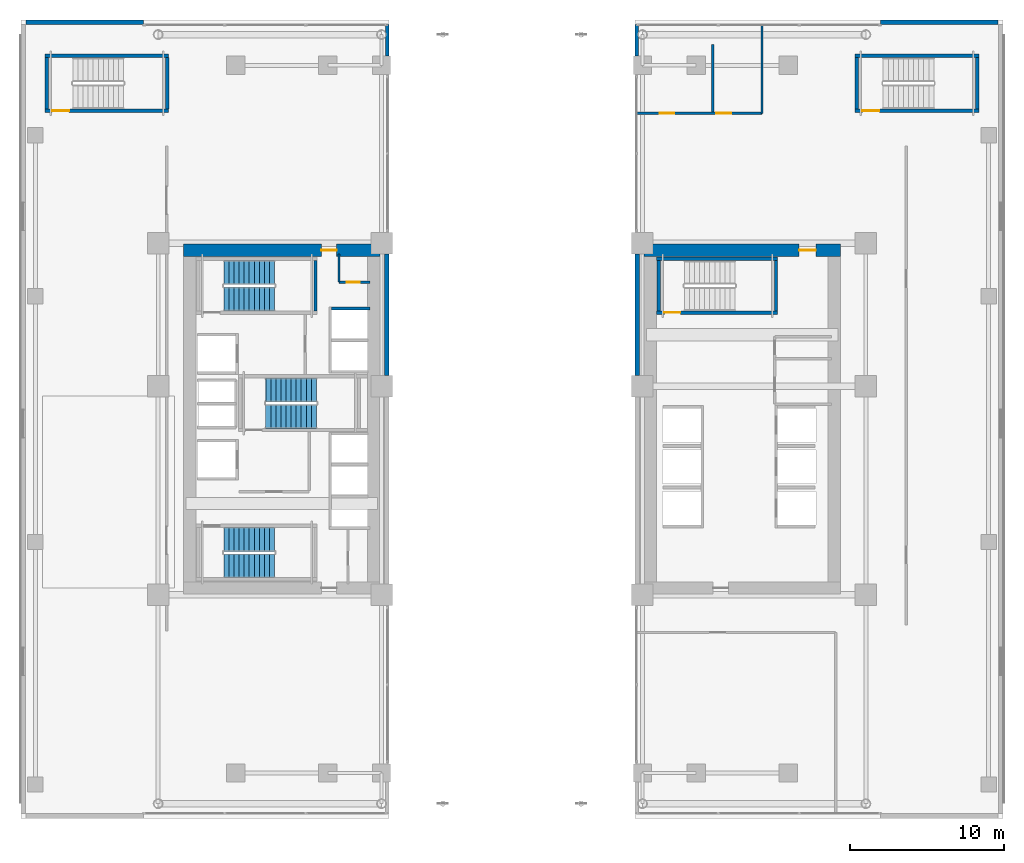
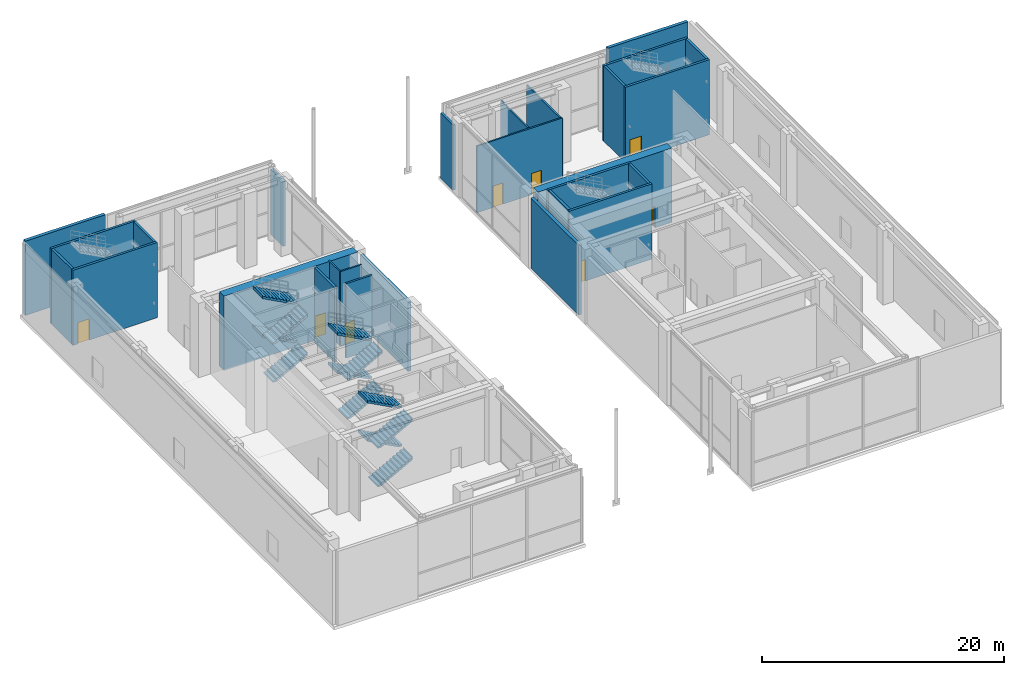
# One storey, part 22 of 29: 27 walls, 12 stair flights, 8 doors, 8 openings, 3 elements without a shape of their own.
"""IFC4 building model written with IfcOpenShell, lengths in metres."""

import ifcopenshell
import ifcopenshell.guid

model = None  # the IFC model being written
_history = None  # IfcOwnerHistory: only IFC2X3 demands one
_inside = {}  # id of a spatial element -> (the spatial element, [elements in it])
_under = {}  # id of a project, library or spatial element -> (it, [spatial elements below it])
_declared = {}  # id of a project -> (the project, [libraries it declares])
_typed = {}  # id of a type object -> (the type object, [elements of that type])
_made_of = {}  # id of a material, layer set ... -> (it, [elements and type objects made of it])


def new_model(schema):
    """Start an empty IFC model of exactly this schema.

    Asked for "IFC4X3", IfcOpenShell would pick the latest addendum, in which some entities
    have other attributes; the version numbers below select the first issue.
    IFC2X3 requires an IfcOwnerHistory on every rooted entity: one is made here for all.
    """
    global model, _history
    if schema == "IFC4X3":
        model = ifcopenshell.file(schema_version=(4, 3, 0, 0))
    else:
        model = ifcopenshell.file(schema=schema)
    _inside.clear()
    _under.clear()
    _declared.clear()
    _typed.clear()
    _made_of.clear()
    _history = None
    if model.schema == "IFC2X3":
        org = make("IfcOrganization", Name="unknown")
        user = make(
            "IfcPersonAndOrganization",
            ThePerson=make("IfcPerson", FamilyName="unknown"),
            TheOrganization=org,
        )
        app = make(
            "IfcApplication",
            ApplicationDeveloper=org,
            Version="unknown",
            ApplicationFullName="unknown",
            ApplicationIdentifier="unknown",
        )
        _history = make(
            "IfcOwnerHistory",
            OwningUser=user,
            OwningApplication=app,
            ChangeAction="ADDED",
            CreationDate=0,
        )
    return model


def make(cls, **values):
    """One entity of the class cls with the attributes given. An attribute that is None is left unset."""
    return model.create_entity(
        cls, **{name: value for name, value in values.items() if value is not None}
    )


def rooted(cls, **values):
    """An entity with a GlobalId (a new one), such as an element, a storey or a relation."""
    return make(cls, GlobalId=ifcopenshell.guid.new(), OwnerHistory=_history, **values)


def si_unit(unit_type, name, prefix=None):
    """IfcSIUnit, for example si_unit("LENGTHUNIT", "METRE", prefix="MILLI")."""
    return make("IfcSIUnit", UnitType=unit_type, Prefix=prefix, Name=name)


def assignment(units):
    """IfcUnitAssignment: the units of a project."""
    return None if units is None else make("IfcUnitAssignment", Units=units)


def point(xyz):
    """IfcCartesianPoint."""
    return None if xyz is None else make("IfcCartesianPoint", Coordinates=xyz)


def direction(xyz):
    """IfcDirection."""
    return None if xyz is None else make("IfcDirection", DirectionRatios=xyz)


def frame(location, z_axis=None, x_axis=None):
    """IfcAxis2Placement3D, a coordinate frame: its origin and axes. An axis left out is left unset."""
    return make(
        "IfcAxis2Placement3D",
        Location=point(location),
        Axis=direction(z_axis),
        RefDirection=direction(x_axis),
    )


def frame_2d(location, x_axis=None):
    """IfcAxis2Placement2D, a coordinate frame in the plane: its origin and x axis."""
    return make(
        "IfcAxis2Placement2D", Location=point(location), RefDirection=direction(x_axis)
    )


def origin():
    """The frame at (0, 0, 0) with its axes left unset."""
    return frame((0.0, 0.0, 0.0))


def place(relative_to, where):
    """IfcLocalPlacement: puts the frame where relative to a parent placement (None: the world)."""
    return make(
        "IfcLocalPlacement", PlacementRelTo=relative_to, RelativePlacement=where
    )


def context(
    kind, dimensions, precision=None, world=None, true_north=None, identifier=None
):
    """IfcGeometricRepresentationContext, for example the 3D "Model" context."""
    return make(
        "IfcGeometricRepresentationContext",
        ContextIdentifier=identifier,
        ContextType=kind,
        CoordinateSpaceDimension=dimensions,
        Precision=precision,
        WorldCoordinateSystem=world,
        TrueNorth=true_north,
    )


def subcontext(parent, identifier, kind, view, scale=None):
    """IfcGeometricRepresentationSubContext, for example "Body" below "Model"."""
    return make(
        "IfcGeometricRepresentationSubContext",
        ContextIdentifier=identifier,
        ContextType=kind,
        ParentContext=parent,
        TargetScale=scale,
        TargetView=view,
    )


def project(units=None, contexts=None):
    """IfcProject with its units and contexts."""
    return rooted(
        "IfcProject",
        Name="project",
        RepresentationContexts=contexts,
        UnitsInContext=assignment(units),
    )


def spatial(cls, under=None, at=None, **own):
    """A site, building, storey or space (cls), placed at a placement, below another one or the project."""
    s = rooted(cls, ObjectPlacement=at, **own)
    if under is not None:
        _under.setdefault(under.id(), (under, []))[1].append(s)
    return s


def polyline(points):
    """IfcPolyline through the points."""
    return make("IfcPolyline", Points=[point(p) for p in points])


def profile(cls, at=None, kind="AREA", **sizes):
    """A parametric profile (cls). Its sizes go by their IFC names, for example OverallWidth=200.0."""
    return make(cls, ProfileType=kind, Position=at, **sizes)


def rectangle(**sizes):
    """IfcRectangleProfileDef."""
    return profile("IfcRectangleProfileDef", **sizes)


def outline(outer, holes=None, kind="AREA"):
    """IfcArbitraryClosedProfileDef: a profile drawn as a closed curve; with holes, ...WithVoids."""
    if holes is None:
        return make("IfcArbitraryClosedProfileDef", ProfileType=kind, OuterCurve=outer)
    return make(
        "IfcArbitraryProfileDefWithVoids",
        ProfileType=kind,
        OuterCurve=outer,
        InnerCurves=holes,
    )


def extrude(swept, where, along, depth):
    """IfcExtrudedAreaSolid: the profile swept, set in the frame where, extruded along a direction by depth."""
    return make(
        "IfcExtrudedAreaSolid",
        SweptArea=swept,
        Position=where,
        ExtrudedDirection=direction(along),
        Depth=depth,
    )


def shape(context_of_items, identifier, shape_type, items):
    """IfcShapeRepresentation: the items that make up one representation, for example the "Body"."""
    return make(
        "IfcShapeRepresentation",
        ContextOfItems=context_of_items,
        RepresentationIdentifier=identifier,
        RepresentationType=shape_type,
        Items=items,
    )


def source(mapping_origin, context_of_items, identifier, shape_type, items):
    """IfcRepresentationMap: a shape defined once, which mapped items show again and again."""
    return make(
        "IfcRepresentationMap",
        MappingOrigin=mapping_origin,
        MappedRepresentation=shape(context_of_items, identifier, shape_type, items),
    )


def transform(
    local_origin,
    x_axis=None,
    y_axis=None,
    z_axis=None,
    scale=None,
    scale2=None,
    scale3=None,
    uniform=True,
):
    """IfcCartesianTransformationOperator3D, or its non-uniform kind. x_axis, y_axis, z_axis: its Axis1, 2, 3."""
    if uniform:
        return make(
            "IfcCartesianTransformationOperator3D",
            Axis1=direction(x_axis),
            Axis2=direction(y_axis),
            LocalOrigin=point(local_origin),
            Scale=scale,
            Axis3=direction(z_axis),
        )
    return make(
        "IfcCartesianTransformationOperator3DnonUniform",
        Axis1=direction(x_axis),
        Axis2=direction(y_axis),
        LocalOrigin=point(local_origin),
        Scale=scale,
        Axis3=direction(z_axis),
        Scale2=scale2,
        Scale3=scale3,
    )


def mapped(mapping_source, mapping_target):
    """IfcMappedItem: shows the shape of a source again, moved by a transform."""
    return make(
        "IfcMappedItem", MappingSource=mapping_source, MappingTarget=mapping_target
    )


def material(Name=None, Category=None):
    """IfcMaterial."""
    return make("IfcMaterial", Name=Name, Category=Category)


def layer(
    of_material, thickness, ventilated=None, Name=None, Category=None, Priority=None
):
    """IfcMaterialLayer: one layer of a wall or slab, of a material (None: an air gap)."""
    return make(
        "IfcMaterialLayer",
        Material=of_material,
        LayerThickness=thickness,
        IsVentilated=ventilated,
        Name=Name,
        Category=Category,
        Priority=Priority,
    )


def layer_set(layers, Name=None):
    """IfcMaterialLayerSet."""
    return make("IfcMaterialLayerSet", MaterialLayers=layers, LayerSetName=Name)


def made_of(thing, what):
    """Note that an element or type object is made of a material, layer set ...; save() writes the relation."""
    if what is not None:
        _made_of.setdefault(what.id(), (what, []))[1].append(thing)
    return thing


def type_object(cls, material=None, **own):
    """A type object (cls), such as IfcWallType, which elements share."""
    return made_of(rooted(cls, **own), material)


def element(
    cls,
    number,
    at=None,
    inside=None,
    cuts=None,
    type_object=None,
    material=None,
    context=None,
    identifier="Body",
    shape_type=None,
    held_by="IfcProductDefinitionShape",
    body=None,
    shapes=None,
    **own,
):
    """One element of the class cls, such as IfcWall. Its Tag is "e" and its number.

    at: its placement. inside: the storey or other place that contains it. cuts: it is an
    opening in that element (IfcRelVoidsElement). A single representation is given by context,
    identifier, shape_type and body (its items); several are given by shapes. held_by: the class
    of the entity that holds the representations. save() writes the other relations.
    """
    e = rooted(cls, Tag="e%d" % number, ObjectPlacement=at, **own)
    if body is not None:
        shapes = [shape(context, identifier, shape_type, body)]
    if shapes is not None:
        e.Representation = make(held_by, Representations=shapes)
    if inside is not None:
        _inside.setdefault(inside.id(), (inside, []))[1].append(e)
    if cuts is not None:
        rooted(
            "IfcRelVoidsElement", RelatingBuildingElement=cuts, RelatedOpeningElement=e
        )
    if type_object is not None:
        _typed.setdefault(type_object.id(), (type_object, []))[1].append(e)
    return made_of(e, material)


def fill(opening, filler):
    """IfcRelFillsElement: the door or window that sits in an opening."""
    return rooted(
        "IfcRelFillsElement",
        RelatingOpeningElement=opening,
        RelatedBuildingElement=filler,
    )


def aggregate(whole, parts):
    """IfcRelAggregates: a whole, such as a stair, and the parts it consists of."""
    return rooted("IfcRelAggregates", RelatingObject=whole, RelatedObjects=parts)


def save(model, path):
    """Write the relations noted so far, then the file.

    IfcRelAggregates (storeys below a building ...), IfcRelContainedInSpatialStructure (elements
    in a storey), IfcRelDefinesByType, IfcRelAssociatesMaterial and IfcRelDeclares: one each for
    every whole, place, type object, material and project.
    """
    for whole, parts in _under.values():
        aggregate(whole, parts)
    for where, things in _inside.values():
        rooted(
            "IfcRelContainedInSpatialStructure",
            RelatedElements=things,
            RelatingStructure=where,
        )
    for kind, things in _typed.values():
        rooted("IfcRelDefinesByType", RelatedObjects=things, RelatingType=kind)
    for what, things in _made_of.values():
        rooted("IfcRelAssociatesMaterial", RelatedObjects=things, RelatingMaterial=what)
    for by, libraries in _declared.values():
        rooted("IfcRelDeclares", RelatingContext=by, RelatedDefinitions=libraries)
    model.write(path)


model = new_model("IFC4")

# Units and contexts
model_context = context("Model", 3, precision=1e-05, world=origin(), true_north=direction((0.0, 1.0)))
body_context = subcontext(model_context, "Body", "Model", "MODEL_VIEW")
ifc_project = project(units=[si_unit("LENGTHUNIT", "METRE"), si_unit("AREAUNIT", "SQUARE_METRE"), si_unit("VOLUMEUNIT", "CUBIC_METRE"), si_unit("PLANEANGLEUNIT", "RADIAN"), si_unit("MASSUNIT", "GRAM", prefix="KILO")], contexts=[model_context])

# Site, building, storey
site_placement = place(None, origin())
site = spatial("IfcSite", under=ifc_project, at=site_placement, CompositionType="ELEMENT")
building_placement = place(site_placement, origin())
building = spatial("IfcBuilding", under=site, at=building_placement, Name="Ocotamira Hotel", CompositionType="ELEMENT")
storey_placement = place(building_placement, frame((0.0, 0.0, 11.39990234375)))
storey = spatial("IfcBuildingStorey", under=building, at=storey_placement, Name="L03", CompositionType="ELEMENT", Elevation=11.39990234375)

# Wall, opening, door
ifc_material_1 = material(Name="Concrete C60/75", Category="concrete")
ifc_layer_1 = layer(ifc_material_1, 0.800048828125)
ifc_layer_set_1 = layer_set([ifc_layer_1], Name="Concrete C60/75")
wall_type_1 = type_object("IfcWallType", Name="WL-CORE-800", PredefinedType="SHEAR", material=ifc_layer_set_1)
wall_1_placement = place(storey_placement, frame((10.60009765625, 37.0, 0.0), z_axis=(0.0, 0.0, 1.0), x_axis=(1.0, 0.0, 0.0)))
wall_1 = element("IfcWall", 1, at=wall_1_placement, inside=storey, type_object=wall_type_1, Name="L03 Shear Core Wall WCORE-N", PredefinedType="SHEAR", context=body_context, shape_type="SweptSolid", body=[
    extrude(rectangle(XDim=12.7998046875, YDim=0.800048828125, at=frame_2d((6.39990234375, 0.0))), origin(), (0.0, 0.0, 1.0), 7.510009765625),
])
opening_1_placement = place(wall_1_placement, frame((8.97998046875, 0.0, 0.0)))
opening_1 = element("IfcOpeningElement", 2, at=opening_1_placement, cuts=wall_1, Name="Opening D-FR2", PredefinedType="OPENING", context=body_context, shape_type="SweptSolid", body=[
    extrude(rectangle(XDim=1.0, YDim=2.14990234375, at=frame_2d((0.5, 1.074951171875))), frame((0.0, 0.41015625, 0.0), z_axis=(0.0, -1.0, 0.0), x_axis=(1.0, 0.0, 0.0)), (0.0, 0.0, 1.0), 0.820068359375),
])
ifc_material_2 = material(Name="Fire-rated acoustic timber-veneer door", Category="wood")
door_type_1 = type_object("IfcDoorType", Name="DR-FIRE-1000", OperationType="NOTDEFINED", PredefinedType="DOOR", material=ifc_material_2)
shared_shape_1 = source(origin(), body_context, "Body", "SweptSolid", [
    extrude(rectangle(XDim=1.0, YDim=2.14990234375, at=frame_2d((0.5, 1.074951171875))), frame((0.0, 0.02490234375, 0.0), z_axis=(0.0, -1.0, 0.0), x_axis=(1.0, 0.0, 0.0)), (0.0, 0.0, 1.0), 0.050048828125),
])
door_1_placement = place(opening_1_placement, origin())
door_1 = element("IfcDoor", 3, at=door_1_placement, inside=storey, type_object=door_type_1, Name="L03 Door ID-L03-WLOB-N-D [ID-L03-WLOB-N-D]", OperationType="SINGLE_SWING_RIGHT", OverallHeight=2.14990234375, OverallWidth=1.0, PredefinedType="DOOR", context=body_context, shape_type="MappedRepresentation", body=[
    mapped(shared_shape_1, transform((0.0, 0.0, 0.0), scale=1.0)),
])
fill(opening_1, door_1)

wall_2_placement = place(storey_placement, frame((40.60009765625, 37.0, 0.0), z_axis=(0.0, 0.0, 1.0), x_axis=(1.0, 0.0, 0.0)))
wall_2 = element("IfcWall", 4, at=wall_2_placement, inside=storey, type_object=wall_type_1, Name="L03 Shear Core Wall ECORE-N", PredefinedType="SHEAR", context=body_context, shape_type="SweptSolid", body=[
    extrude(rectangle(XDim=12.7998046875, YDim=0.800048828125, at=frame_2d((6.39990234375, 0.0))), origin(), (0.0, 0.0, 1.0), 7.510009765625),
])
opening_2_placement = place(wall_2_placement, frame((10.10009765625, 0.0, 0.0)))
opening_2 = element("IfcOpeningElement", 5, at=opening_2_placement, cuts=wall_2, Name="Opening D-FR1", PredefinedType="OPENING", context=body_context, shape_type="SweptSolid", body=[
    extrude(rectangle(XDim=1.10009765625, YDim=2.14990234375, at=frame_2d((0.550048828125, 1.074951171875))), frame((0.0, 0.41015625, 0.0), z_axis=(0.0, -1.0, 0.0), x_axis=(1.0, 0.0, 0.0)), (0.0, 0.0, 1.0), 0.820068359375),
])
door_type_2 = type_object("IfcDoorType", Name="DR-FIRE-1100", OperationType="NOTDEFINED", PredefinedType="DOOR", material=ifc_material_2)
shared_shape_2 = source(origin(), body_context, "Body", "SweptSolid", [
    extrude(rectangle(XDim=1.10009765625, YDim=2.14990234375, at=frame_2d((0.550048828125, 1.074951171875))), frame((0.0, 0.02490234375, 0.0), z_axis=(0.0, -1.0, 0.0), x_axis=(1.0, 0.0, 0.0)), (0.0, 0.0, 1.0), 0.050048828125),
])
door_2_placement = place(opening_2_placement, origin())
door_2 = element("IfcDoor", 6, at=door_2_placement, inside=storey, type_object=door_type_2, Name="L03 Door ID-L03-ELOB-N-D [ID-L03-ELOB-N-D]", OperationType="SINGLE_SWING_LEFT", OverallHeight=2.14990234375, OverallWidth=1.10009765625, PredefinedType="DOOR", context=body_context, shape_type="MappedRepresentation", body=[
    mapped(shared_shape_2, transform((0.0, 0.0, 0.0), scale=1.0)),
])
fill(opening_2, door_2)

# Walls
ifc_material_3 = material(Name="Travertine-clad precast concrete C45/55", Category="masonry")
ifc_layer_2 = layer(ifc_material_3, 0.300048828125)
ifc_layer_set_2 = layer_set([ifc_layer_2], Name="Travertine-clad precast concrete C45/55")
wall_type_2 = type_object("IfcWallType", Name="WL-EXT-POD-300", PredefinedType="SOLIDWALL", material=ifc_layer_set_2)
for number, where, z_axis, x_axis, name in (
    (7, (0.35009765625, 51.85009765625, 0.0), (0.0, 0.0, 1.0), (1.0, 0.0, 0.0), "L03 N-West Podium Wall"),
    (8, (56.0, 51.85009765625, 0.0), (0.0, 0.0, 1.0), (1.0, 0.0, 0.0), "L03 N-East Podium Wall"),
):
    element("IfcWall", number, at=place(storey_placement, frame(where, z_axis=z_axis, x_axis=x_axis)), inside=storey, type_object=wall_type_2, Name=name, PredefinedType="SOLIDWALL", context=body_context, shape_type="SweptSolid", body=[
        extrude(rectangle(XDim=7.64990234375, YDim=0.300048828125, at=frame_2d((3.824951171875, 0.0))), origin(), (0.0, 0.0, 1.0), 7.510009765625),
    ])
wall_3_placement = place(storey_placement, frame((23.8798828125, 49.64990234375, 0.0), z_axis=(0.0, 0.0, 1.0), x_axis=(0.0, 1.0, 0.0)))
element("IfcWall", 9, at=wall_3_placement, inside=storey, type_object=wall_type_2, Name="L03 Giant Arch North Corner Cheek Wall AW", PredefinedType="SOLIDWALL", context=body_context, shape_type="SweptSolid", body=[
    extrude(rectangle(XDim=2.050048828125, YDim=0.239990234375, at=frame_2d((1.02490234375, 0.0))), origin(), (0.0, 0.0, 1.0), 6.5830078125),
])
wall_4_placement = place(storey_placement, frame((23.85009765625, 28.85009765625, 0.0), z_axis=(0.0, 0.0, 1.0), x_axis=(0.0, 1.0, 0.0)))
element("IfcWall", 10, at=wall_4_placement, inside=storey, type_object=wall_type_2, Name="L03 Giant Arch Core Cheek Wall AW-2", PredefinedType="SOLIDWALL", context=body_context, shape_type="SweptSolid", body=[
    extrude(rectangle(XDim=7.89990234375, YDim=0.300048828125, at=frame_2d((3.949951171875, 0.0))), origin(), (0.0, 0.0, 1.0), 7.052978515625),
])
wall_5_placement = place(storey_placement, frame((40.1201171875, 49.64990234375, 0.0), z_axis=(0.0, 0.0, 1.0), x_axis=(0.0, 1.0, 0.0)))
element("IfcWall", 11, at=wall_5_placement, inside=storey, type_object=wall_type_2, Name="L03 Giant Arch North Corner Cheek Wall AE", PredefinedType="SOLIDWALL", context=body_context, shape_type="SweptSolid", body=[
    extrude(rectangle(XDim=2.050048828125, YDim=0.239990234375, at=frame_2d((1.02490234375, 0.0))), origin(), (0.0, 0.0, 1.0), 6.5830078125),
])
wall_6_placement = place(storey_placement, frame((40.14990234375, 28.85009765625, 0.0), z_axis=(0.0, 0.0, 1.0), x_axis=(0.0, 1.0, 0.0)))
element("IfcWall", 12, at=wall_6_placement, inside=storey, type_object=wall_type_2, Name="L03 Giant Arch Core Cheek Wall AE-2", PredefinedType="SOLIDWALL", context=body_context, shape_type="SweptSolid", body=[
    extrude(rectangle(XDim=7.89990234375, YDim=0.300048828125, at=frame_2d((3.949951171875, 0.0))), origin(), (0.0, 0.0, 1.0), 7.052978515625),
])
ifc_material_4 = material(Name="Acoustic hospitality gypsum board partition", Category="gypsum")
ifc_layer_3 = layer(ifc_material_4, 0.14208984375)
ifc_layer_set_3 = layer_set([ifc_layer_3], Name="Acoustic hospitality gypsum board partition")
wall_type_3 = type_object("IfcWallType", Name="WL-PART-142", PredefinedType="PARTITIONING", material=ifc_layer_set_3)
wall_7_placement = place(storey_placement, frame((20.739990234375, 34.919921875, 0.0), z_axis=(0.0, 0.0, 1.0), x_axis=(0.0, 1.0, 0.0)))
element("IfcWall", 13, at=wall_7_placement, inside=storey, type_object=wall_type_3, Name="L03 Interior Wall PW-L03-WC-NE-W1", PredefinedType="PARTITIONING", context=body_context, shape_type="SweptSolid", body=[
    extrude(rectangle(XDim=1.830078125, YDim=0.14208984375, at=frame_2d((0.9150390625, 0.0))), origin(), (0.0, 0.0, 1.0), 7.510009765625),
])

# Wall, opening, door
wall_8_placement = place(storey_placement, frame((20.739990234375, 34.919921875, 0.0), z_axis=(0.0, 0.0, 1.0), x_axis=(1.0, 0.0, 0.0)))
wall_8 = element("IfcWall", 14, at=wall_8_placement, inside=storey, type_object=wall_type_3, Name="L03 Interior Wall PW-L03-WC-NE-S1", PredefinedType="PARTITIONING", context=body_context, shape_type="SweptSolid", body=[
    extrude(rectangle(XDim=2.010009765625, YDim=0.14208984375, at=frame_2d((1.0048828125, 0.0))), origin(), (0.0, 0.0, 1.0), 7.510009765625),
])
opening_3_placement = place(wall_8_placement, frame((0.5, 0.0, 0.0)))
opening_3 = element("IfcOpeningElement", 15, at=opening_3_placement, cuts=wall_8, Name="Opening D-SV1", PredefinedType="OPENING", context=body_context, shape_type="SweptSolid", body=[
    extrude(rectangle(XDim=0.840087890625, YDim=2.10009765625, at=frame_2d((0.419921875, 1.050048828125))), frame((0.0, 0.0810546875, 0.0), z_axis=(0.0, -1.0, 0.0), x_axis=(1.0, 0.0, 0.0)), (0.0, 0.0, 1.0), 0.162109375),
])
ifc_material_5 = material(Name="Fire-rated painted steel service door", Category="steel")
door_type_3 = type_object("IfcDoorType", Name="DR-SERV-840", OperationType="NOTDEFINED", PredefinedType="DOOR", material=ifc_material_5)
shared_shape_3 = source(origin(), body_context, "Body", "SweptSolid", [
    extrude(rectangle(XDim=0.840087890625, YDim=2.10009765625, at=frame_2d((0.419921875, 1.050048828125))), frame((0.0, 0.02490234375, 0.0), z_axis=(0.0, -1.0, 0.0), x_axis=(1.0, 0.0, 0.0)), (0.0, 0.0, 1.0), 0.050048828125),
])
door_3_placement = place(opening_3_placement, origin())
door_3 = element("IfcDoor", 16, at=door_3_placement, inside=storey, type_object=door_type_3, Name="L03 Door ID-L03-WC-NE-D1 [ID-L03-WC-NE-D1]", OperationType="SINGLE_SWING_LEFT", OverallHeight=2.10009765625, OverallWidth=0.840087890625, PredefinedType="DOOR", context=body_context, shape_type="MappedRepresentation", body=[
    mapped(shared_shape_3, transform((0.0, 0.0, 0.0), scale=1.0)),
])
fill(opening_3, door_3)

# Walls
ifc_layer_4 = layer(ifc_material_4, 0.14990234375)
ifc_layer_set_4 = layer_set([ifc_layer_4], Name="Acoustic hospitality gypsum board partition")
wall_type_4 = type_object("IfcWallType", Name="WL-PART-150", PredefinedType="PARTITIONING", material=ifc_layer_set_4)
wall_9_placement = place(storey_placement, frame((45.080078125, 46.0, 0.0), z_axis=(0.0, 0.0, 1.0), x_axis=(0.0, 1.0, 0.0)))
element("IfcWall", 17, at=wall_9_placement, inside=storey, type_object=wall_type_4, Name="L03 Interior Wall PW-L03-L03-EWCDIV", PredefinedType="PARTITIONING", context=body_context, shape_type="SweptSolid", body=[
    extrude(rectangle(XDim=4.39990234375, YDim=0.14990234375, at=frame_2d((2.199951171875, 0.0))), origin(), (0.0, 0.0, 1.0), 6.817138671875),
])
wall_10_placement = place(storey_placement, frame((48.280029296875, 45.919921875, 0.0), z_axis=(0.0, 0.0, 1.0), x_axis=(0.0, 1.0, 0.0)))
element("IfcWall", 18, at=wall_10_placement, inside=storey, type_object=wall_type_4, Name="L03 Interior Wall PW-L03-L03-EWCE", PredefinedType="PARTITIONING", context=body_context, shape_type="SweptSolid", body=[
    extrude(rectangle(XDim=5.760009765625, YDim=0.14990234375, at=frame_2d((2.8798828125, 0.0))), origin(), (0.0, 0.0, 1.0), 6.5830078125),
])

# Wall, openings, doors
wall_11_placement = place(storey_placement, frame((40.1201171875, 45.919921875, 0.0), z_axis=(0.0, 0.0, 1.0), x_axis=(1.0, 0.0, 0.0)))
wall_11 = element("IfcWall", 19, at=wall_11_placement, inside=storey, type_object=wall_type_4, Name="L03 Interior Wall PW-L03-L03-EWCS", PredefinedType="PARTITIONING", context=body_context, shape_type="SweptSolid", body=[
    extrude(rectangle(XDim=8.159912109375, YDim=0.14990234375, at=frame_2d((4.080078125, 0.0))), origin(), (0.0, 0.0, 1.0), 6.731201171875),
])
opening_4_placement = place(wall_11_placement, frame((1.5, 0.0, 0.0)))
opening_4 = element("IfcOpeningElement", 20, at=opening_4_placement, cuts=wall_11, Name="Opening D-SV4", PredefinedType="OPENING", context=body_context, shape_type="SweptSolid", body=[
    extrude(rectangle(XDim=0.9599609375, YDim=2.14990234375, at=frame_2d((0.47998046875, 1.074951171875))), frame((0.0, 0.0849609375, 0.0), z_axis=(0.0, -1.0, 0.0), x_axis=(1.0, 0.0, 0.0)), (0.0, 0.0, 1.0), 0.169921875),
])
opening_5_placement = place(wall_11_placement, frame((5.199951171875, 0.0, 0.0)))
opening_5 = element("IfcOpeningElement", 21, at=opening_5_placement, cuts=wall_11, Name="Opening D-SV4", PredefinedType="OPENING", context=body_context, shape_type="SweptSolid", body=[
    extrude(rectangle(XDim=0.9599609375, YDim=2.14990234375, at=frame_2d((0.47998046875, 1.074951171875))), frame((0.0, 0.0849609375, 0.0), z_axis=(0.0, -1.0, 0.0), x_axis=(1.0, 0.0, 0.0)), (0.0, 0.0, 1.0), 0.169921875),
])
ifc_material_6 = material(Name="Fire-rated accessible walnut salon door", Category="wood")
door_type_4 = type_object("IfcDoorType", Name="DR-SERV-960", OperationType="NOTDEFINED", PredefinedType="DOOR", material=ifc_material_6)
shared_shape_4 = source(origin(), body_context, "Body", "SweptSolid", [
    extrude(rectangle(XDim=0.9599609375, YDim=2.14990234375, at=frame_2d((0.47998046875, 1.074951171875))), frame((0.0, 0.02490234375, 0.0), z_axis=(0.0, -1.0, 0.0), x_axis=(1.0, 0.0, 0.0)), (0.0, 0.0, 1.0), 0.050048828125),
])
door_4_placement = place(opening_4_placement, origin())
door_4 = element("IfcDoor", 22, at=door_4_placement, inside=storey, type_object=door_type_4, Name="L03 Door ID-L03-L03-EWCD1 [ID-L03-L03-EWCD1]", OperationType="SINGLE_SWING_LEFT", OverallHeight=2.14990234375, OverallWidth=0.9599609375, PredefinedType="DOOR", context=body_context, shape_type="MappedRepresentation", body=[
    mapped(shared_shape_4, transform((0.0, 0.0, 0.0), scale=1.0)),
])
fill(opening_4, door_4)
door_5_placement = place(opening_5_placement, origin())
door_5 = element("IfcDoor", 23, at=door_5_placement, inside=storey, type_object=door_type_4, Name="L03 Door ID-L03-L03-EAWCD [ID-L03-L03-EAWCD]", OperationType="SINGLE_SWING_RIGHT", OverallHeight=2.14990234375, OverallWidth=0.9599609375, PredefinedType="DOOR", context=body_context, shape_type="MappedRepresentation", body=[
    mapped(shared_shape_4, transform((0.0, 0.0, 0.0), scale=1.0)),
])
fill(opening_5, door_5)

# Walls
ifc_material_7 = material(Name="Fire-rated gypsum shaftliner board assembly", Category="gypsum")
ifc_layer_5 = layer(ifc_material_7, 0.179931640625)
ifc_layer_set_5 = layer_set([ifc_layer_5], Name="Fire-rated gypsum shaftliner board assembly")
wall_type_5 = type_object("IfcWallType", Name="WL-SHAFT-180", PredefinedType="SOLIDWALL", material=ifc_layer_set_5)
wall_12_placement = place(storey_placement, frame((20.25, 33.199951171875, 0.0), z_axis=(0.0, 0.0, 1.0), x_axis=(1.0, 0.0, 0.0)))
element("IfcWall", 24, at=wall_12_placement, inside=storey, type_object=wall_type_5, Name="L03 Interior Wall PW-L03-LFW-BANK-obs-N", PredefinedType="SOLIDWALL", context=body_context, shape_type="SweptSolid", body=[
    extrude(rectangle(XDim=2.5, YDim=0.179931640625, at=frame_2d((1.25, 0.0))), origin(), (0.0, 0.0, 1.0), 7.510009765625),
])
ifc_material_8 = material(Name="Concrete C50/60", Category="concrete")
ifc_layer_6 = layer(ifc_material_8, 0.219970703125)
ifc_layer_set_6 = layer_set([ifc_layer_6], Name="Concrete C50/60")
wall_type_6 = type_object("IfcWallType", Name="WL-STAIR-220", PredefinedType="SHEAR", material=ifc_layer_set_6)
wall_13_placement = place(storey_placement, frame((19.199951171875, 33.050048828125, 0.0), z_axis=(0.0, 0.0, 1.0), x_axis=(0.0, 1.0, 0.0)))
element("IfcWall", 25, at=wall_13_placement, inside=storey, type_object=wall_type_6, Name="L03 Stair Shaft Structural Wall ST-2-E", PredefinedType="SHEAR", context=body_context, shape_type="SweptSolid", body=[
    extrude(rectangle(XDim=3.280029296875, YDim=0.219970703125, at=frame_2d((1.64013671875, 0.0))), origin(), (0.0, 0.0, 1.0), 7.60009765625),
])

# Wall, opening, door
wall_14_placement = place(storey_placement, frame((41.39990234375, 32.93994140625, 0.0), z_axis=(0.0, 0.0, 1.0), x_axis=(1.0, 0.0, 0.0)))
wall_14 = element("IfcWall", 26, at=wall_14_placement, inside=storey, type_object=wall_type_6, Name="L03 Stair Shaft Structural Wall ST-4-S", PredefinedType="SHEAR", context=body_context, shape_type="SweptSolid", body=[
    extrude(rectangle(XDim=7.91015625, YDim=0.219970703125, at=frame_2d((3.955078125, 0.0))), origin(), (0.0, 0.0, 1.0), 7.60009765625),
])
opening_6_placement = place(wall_14_placement, frame((0.52001953125, 0.0, 0.0)))
opening_6 = element("IfcOpeningElement", 27, at=opening_6_placement, cuts=wall_14, Name="Opening D-ST2", PredefinedType="OPENING", context=body_context, shape_type="SweptSolid", body=[
    extrude(rectangle(XDim=1.050048828125, YDim=2.14990234375, at=frame_2d((0.52490234375, 1.074951171875))), frame((0.0, 0.1201171875, 0.0), z_axis=(0.0, -1.0, 0.0), x_axis=(1.0, 0.0, 0.0)), (0.0, 0.0, 1.0), 0.239990234375),
])
ifc_material_9 = material(Name="Insulated painted hollow-metal fire exit door", Category="steel")
door_type_5 = type_object("IfcDoorType", Name="DR-STAIR-1050", OperationType="NOTDEFINED", PredefinedType="DOOR", material=ifc_material_9)
shared_shape_5 = source(origin(), body_context, "Body", "SweptSolid", [
    extrude(rectangle(XDim=1.050048828125, YDim=2.14990234375, at=frame_2d((0.52490234375, 1.074951171875))), frame((0.0, 0.02490234375, 0.0), z_axis=(0.0, -1.0, 0.0), x_axis=(1.0, 0.0, 0.0)), (0.0, 0.0, 1.0), 0.050048828125),
])
door_6_placement = place(opening_6_placement, origin())
door_6 = element("IfcDoor", 28, at=door_6_placement, inside=storey, type_object=door_type_5, Name="L03 Door ID-L03-STD-ST-4 [ID-L03-STD-ST-4]", OperationType="SINGLE_SWING_LEFT", OverallHeight=2.14990234375, OverallWidth=1.050048828125, PredefinedType="DOOR", context=body_context, shape_type="MappedRepresentation", body=[
    mapped(shared_shape_5, transform((0.0, 0.0, 0.0), scale=1.0)),
])
fill(opening_6, door_6)

# Walls
wall_15_placement = place(storey_placement, frame((41.39990234375, 36.43994140625, 0.0), z_axis=(0.0, 0.0, 1.0), x_axis=(1.0, 0.0, 0.0)))
element("IfcWall", 29, at=wall_15_placement, inside=storey, type_object=wall_type_6, Name="L03 Stair Shaft Structural Wall ST-4-N", PredefinedType="SHEAR", context=body_context, shape_type="SweptSolid", body=[
    extrude(rectangle(XDim=7.91015625, YDim=0.219970703125, at=frame_2d((3.955078125, 0.0))), origin(), (0.0, 0.0, 1.0), 7.60009765625),
])
for number, where, z_axis, x_axis, name in (
    (30, (41.56005859375, 33.050048828125, 0.0), (0.0, 0.0, 1.0), (0.0, 1.0, 0.0), "L03 Stair Shaft Structural Wall ST-4-W"),
    (31, (49.199951171875, 33.050048828125, 0.0), (0.0, 0.0, 1.0), (0.0, 1.0, 0.0), "L03 Stair Shaft Structural Wall ST-4-E"),
):
    element("IfcWall", number, at=place(storey_placement, frame(where, z_axis=z_axis, x_axis=x_axis)), inside=storey, type_object=wall_type_6, Name=name, PredefinedType="SHEAR", context=body_context, shape_type="SweptSolid", body=[
        extrude(rectangle(XDim=3.280029296875, YDim=0.219970703125, at=frame_2d((1.64013671875, 0.0))), origin(), (0.0, 0.0, 1.0), 7.60009765625),
    ])

# Wall, opening, door
wall_16_placement = place(storey_placement, frame((1.580078125, 46.090087890625, 0.0), z_axis=(0.0, 0.0, 1.0), x_axis=(1.0, 0.0, 0.0)))
wall_16 = element("IfcWall", 32, at=wall_16_placement, inside=storey, type_object=wall_type_6, Name="L03 Stair Shaft Structural Wall ST-5-S", PredefinedType="SHEAR", context=body_context, shape_type="SweptSolid", body=[
    extrude(rectangle(XDim=8.059814453125, YDim=0.219970703125, at=frame_2d((4.02978515625, 0.0))), origin(), (0.0, 0.0, 1.0), 7.60009765625),
])
opening_7_placement = place(wall_16_placement, frame((0.469970703125, 0.0, 0.0)))
opening_7 = element("IfcOpeningElement", 33, at=opening_7_placement, cuts=wall_16, Name="Opening D-ST1", PredefinedType="OPENING", context=body_context, shape_type="SweptSolid", body=[
    extrude(rectangle(XDim=1.10009765625, YDim=2.14990234375, at=frame_2d((0.550048828125, 1.074951171875))), frame((0.0, 0.1201171875, 0.0), z_axis=(0.0, -1.0, 0.0), x_axis=(1.0, 0.0, 0.0)), (0.0, 0.0, 1.0), 0.239990234375),
])
door_type_6 = type_object("IfcDoorType", Name="DR-STAIR-1100", OperationType="NOTDEFINED", PredefinedType="DOOR", material=ifc_material_9)
door_7_placement = place(opening_7_placement, origin())
door_7 = element("IfcDoor", 34, at=door_7_placement, inside=storey, type_object=door_type_6, Name="L03 Door ID-L03-STD-ST-5 [ID-L03-STD-ST-5]", OperationType="SINGLE_SWING_RIGHT", OverallHeight=2.14990234375, OverallWidth=1.10009765625, PredefinedType="DOOR", context=body_context, shape_type="MappedRepresentation", body=[
    mapped(shared_shape_2, transform((0.0, 0.0, 0.0), scale=1.0)),
])
fill(opening_7, door_7)

# Walls
wall_17_placement = place(storey_placement, frame((1.580078125, 49.669921875, 0.0), z_axis=(0.0, 0.0, 1.0), x_axis=(1.0, 0.0, 0.0)))
element("IfcWall", 35, at=wall_17_placement, inside=storey, type_object=wall_type_6, Name="L03 Stair Shaft Structural Wall ST-5-N", PredefinedType="SHEAR", context=body_context, shape_type="SweptSolid", body=[
    extrude(rectangle(XDim=8.059814453125, YDim=0.219970703125, at=frame_2d((4.02978515625, 0.0))), origin(), (0.0, 0.0, 1.0), 7.60009765625),
])
for number, where, z_axis, x_axis, name in (
    (36, (1.68994140625, 46.199951171875, 0.0), (0.0, 0.0, 1.0), (0.0, 1.0, 0.0), "L03 Stair Shaft Structural Wall ST-5-W"),
    (37, (9.530029296875, 46.199951171875, 0.0), (0.0, 0.0, 1.0), (0.0, 1.0, 0.0), "L03 Stair Shaft Structural Wall ST-5-E"),
):
    element("IfcWall", number, at=place(storey_placement, frame(where, z_axis=z_axis, x_axis=x_axis)), inside=storey, type_object=wall_type_6, Name=name, PredefinedType="SHEAR", context=body_context, shape_type="SweptSolid", body=[
        extrude(rectangle(XDim=3.360107421875, YDim=0.219970703125, at=frame_2d((1.68017578125, 0.0))), origin(), (0.0, 0.0, 1.0), 7.60009765625),
    ])

# Wall, opening, door
wall_18_placement = place(storey_placement, frame((54.360107421875, 46.090087890625, 0.0), z_axis=(0.0, 0.0, 1.0), x_axis=(1.0, 0.0, 0.0)))
wall_18 = element("IfcWall", 38, at=wall_18_placement, inside=storey, type_object=wall_type_6, Name="L03 Stair Shaft Structural Wall ST-6-S", PredefinedType="SHEAR", context=body_context, shape_type="SweptSolid", body=[
    extrude(rectangle(XDim=8.059814453125, YDim=0.219970703125, at=frame_2d((4.02978515625, 0.0))), origin(), (0.0, 0.0, 1.0), 7.60009765625),
])
opening_8_placement = place(wall_18_placement, frame((0.469970703125, 0.0, 0.0)))
opening_8 = element("IfcOpeningElement", 39, at=opening_8_placement, cuts=wall_18, Name="Opening D-ST1", PredefinedType="OPENING", context=body_context, shape_type="SweptSolid", body=[
    extrude(rectangle(XDim=1.10009765625, YDim=2.14990234375, at=frame_2d((0.550048828125, 1.074951171875))), frame((0.0, 0.1201171875, 0.0), z_axis=(0.0, -1.0, 0.0), x_axis=(1.0, 0.0, 0.0)), (0.0, 0.0, 1.0), 0.239990234375),
])
door_8_placement = place(opening_8_placement, origin())
door_8 = element("IfcDoor", 40, at=door_8_placement, inside=storey, type_object=door_type_6, Name="L03 Door ID-L03-STD-ST-6 [ID-L03-STD-ST-6]", OperationType="SINGLE_SWING_LEFT", OverallHeight=2.14990234375, OverallWidth=1.10009765625, PredefinedType="DOOR", context=body_context, shape_type="MappedRepresentation", body=[
    mapped(shared_shape_2, transform((0.0, 0.0, 0.0), scale=1.0)),
])
fill(opening_8, door_8)

# Walls
wall_19_placement = place(storey_placement, frame((54.360107421875, 49.669921875, 0.0), z_axis=(0.0, 0.0, 1.0), x_axis=(1.0, 0.0, 0.0)))
element("IfcWall", 41, at=wall_19_placement, inside=storey, type_object=wall_type_6, Name="L03 Stair Shaft Structural Wall ST-6-N", PredefinedType="SHEAR", context=body_context, shape_type="SweptSolid", body=[
    extrude(rectangle(XDim=8.059814453125, YDim=0.219970703125, at=frame_2d((4.02978515625, 0.0))), origin(), (0.0, 0.0, 1.0), 7.60009765625),
])
for number, where, z_axis, x_axis, name in (
    (42, (54.469970703125, 46.199951171875, 0.0), (0.0, 0.0, 1.0), (0.0, 1.0, 0.0), "L03 Stair Shaft Structural Wall ST-6-W"),
    (43, (62.31005859375, 46.199951171875, 0.0), (0.0, 0.0, 1.0), (0.0, 1.0, 0.0), "L03 Stair Shaft Structural Wall ST-6-E"),
):
    element("IfcWall", number, at=place(storey_placement, frame(where, z_axis=z_axis, x_axis=x_axis)), inside=storey, type_object=wall_type_6, Name=name, PredefinedType="SHEAR", context=body_context, shape_type="SweptSolid", body=[
        extrude(rectangle(XDim=3.360107421875, YDim=0.219970703125, at=frame_2d((1.68017578125, 0.0))), origin(), (0.0, 0.0, 1.0), 7.60009765625),
    ])

# Stair, stair flights
ifc_material_10 = material(Name="Concrete C40/50", Category="concrete")
stair_type = type_object("IfcStairType", Name="ST-CORE-1560", PredefinedType="HALF_TURN_STAIR", material=ifc_material_10)
stair_1_placement = place(storey_placement, origin())
stair_1 = element("IfcStair", 44, at=stair_1_placement, inside=storey, type_object=stair_type, Name="L03 Exit Stair ST-1", PredefinedType="HALF_TURN_STAIR")
stair_flight_type = type_object("IfcStairFlightType", Name="STF-CORE-1560", PredefinedType="STRAIGHT", material=ifc_material_10)
shared_shape_6 = source(origin(), body_context, "Body", "SweptSolid", [
    extrude(outline(polyline([(-0.00390625, 0.0), (-0.00390625, 0.17724609375), (0.330078125, 0.17724609375), (0.330078125, 0.3544921875), (0.659912109375, 0.3544921875), (0.659912109375, 0.53173828125), (0.989990234375, 0.53173828125), (0.989990234375, 0.708984375), (1.320068359375, 0.708984375), (1.320068359375, 0.886474609375), (1.64990234375, 0.886474609375), (1.64990234375, 1.063720703125), (1.97998046875, 1.063720703125), (1.97998046875, 1.240966796875), (2.31005859375, 1.240966796875), (2.31005859375, 1.418212890625), (2.639892578125, 1.418212890625), (2.639892578125, 1.595458984375), (2.969970703125, 1.595458984375), (2.969970703125, 1.772705078125), (3.300048828125, 1.772705078125), (3.300048828125, 1.949951171875), (3.303955078125, 1.949951171875), (3.303955078125, 1.6025390625), (0.316650390625, 0.0), (-0.00390625, 0.0)])), frame((0.0, 0.780029296875, 0.0), z_axis=(0.0, -1.0, 0.0), x_axis=(1.0, 0.0, 0.0)), (0.0, 0.0, 1.0), 1.56005859375),
])
stair_flight_1_placement = place(storey_placement, frame((13.22998046875, 16.449951171875, 0.0), z_axis=(0.0, 0.0, 1.0), x_axis=(1.0, 0.0, 0.0)))
stair_flight_1 = element("IfcStairFlight", 45, at=stair_flight_1_placement, type_object=stair_flight_type, Name="ST-1 flight 1", NumberOfRisers=11, NumberOfTreads=10, PredefinedType="STRAIGHT", RiserHeight=0.177272727, TreadLength=0.33, context=body_context, shape_type="MappedRepresentation", body=[
    mapped(shared_shape_6, transform((0.0, 0.0, 0.0), scale=1.0)),
])
stair_flight_2_placement = place(storey_placement, frame((16.530029296875, 18.169921875, 1.9501953125), z_axis=(0.0, 0.0, 1.0), x_axis=(-1.0, 0.0, 0.0)))
stair_flight_2 = element("IfcStairFlight", 46, at=stair_flight_2_placement, type_object=stair_flight_type, Name="ST-1 flight 2", NumberOfRisers=11, NumberOfTreads=10, PredefinedType="STRAIGHT", RiserHeight=0.177272727, TreadLength=0.33, context=body_context, shape_type="MappedRepresentation", body=[
    mapped(shared_shape_6, transform((0.0, 0.0, 0.0), scale=1.0)),
])
stair_flight_3_placement = place(storey_placement, frame((13.22998046875, 16.449951171875, 3.900146484375), z_axis=(0.0, 0.0, 1.0), x_axis=(1.0, 0.0, 0.0)))
stair_flight_3 = element("IfcStairFlight", 47, at=stair_flight_3_placement, type_object=stair_flight_type, Name="ST-1 flight 3", NumberOfRisers=11, NumberOfTreads=10, PredefinedType="STRAIGHT", RiserHeight=0.177272727, TreadLength=0.33, context=body_context, shape_type="MappedRepresentation", body=[
    mapped(shared_shape_6, transform((0.0, 0.0, 0.0), scale=1.0)),
])
stair_flight_4_placement = place(storey_placement, frame((16.530029296875, 18.169921875, 5.85009765625), z_axis=(0.0, 0.0, 1.0), x_axis=(-1.0, 0.0, 0.0)))
stair_flight_4 = element("IfcStairFlight", 48, at=stair_flight_4_placement, type_object=stair_flight_type, Name="ST-1 flight 4", NumberOfRisers=11, NumberOfTreads=10, PredefinedType="STRAIGHT", RiserHeight=0.177272727, TreadLength=0.33, context=body_context, shape_type="MappedRepresentation", body=[
    mapped(shared_shape_6, transform((0.0, 0.0, 0.0), scale=1.0)),
])
aggregate(stair_1, [stair_flight_1, stair_flight_2, stair_flight_3, stair_flight_4])

stair_2_placement = place(storey_placement, origin())
stair_2 = element("IfcStair", 49, at=stair_2_placement, inside=storey, type_object=stair_type, Name="L03 Exit Stair ST-2", PredefinedType="HALF_TURN_STAIR")
stair_flight_5_placement = place(storey_placement, frame((13.22998046875, 33.830078125, 0.0), z_axis=(0.0, 0.0, 1.0), x_axis=(1.0, 0.0, 0.0)))
stair_flight_5 = element("IfcStairFlight", 50, at=stair_flight_5_placement, type_object=stair_flight_type, Name="ST-2 flight 1", NumberOfRisers=11, NumberOfTreads=10, PredefinedType="STRAIGHT", RiserHeight=0.177272727, TreadLength=0.33, context=body_context, shape_type="MappedRepresentation", body=[
    mapped(shared_shape_6, transform((0.0, 0.0, 0.0), scale=1.0)),
])
stair_flight_6_placement = place(storey_placement, frame((16.530029296875, 35.550048828125, 1.9501953125), z_axis=(0.0, 0.0, 1.0), x_axis=(-1.0, 0.0, 0.0)))
stair_flight_6 = element("IfcStairFlight", 51, at=stair_flight_6_placement, type_object=stair_flight_type, Name="ST-2 flight 2", NumberOfRisers=11, NumberOfTreads=10, PredefinedType="STRAIGHT", RiserHeight=0.177272727, TreadLength=0.33, context=body_context, shape_type="MappedRepresentation", body=[
    mapped(shared_shape_6, transform((0.0, 0.0, 0.0), scale=1.0)),
])
stair_flight_7_placement = place(storey_placement, frame((13.22998046875, 33.830078125, 3.900146484375), z_axis=(0.0, 0.0, 1.0), x_axis=(1.0, 0.0, 0.0)))
stair_flight_7 = element("IfcStairFlight", 52, at=stair_flight_7_placement, type_object=stair_flight_type, Name="ST-2 flight 3", NumberOfRisers=11, NumberOfTreads=10, PredefinedType="STRAIGHT", RiserHeight=0.177272727, TreadLength=0.33, context=body_context, shape_type="MappedRepresentation", body=[
    mapped(shared_shape_6, transform((0.0, 0.0, 0.0), scale=1.0)),
])
stair_flight_8_placement = place(storey_placement, frame((16.530029296875, 35.550048828125, 5.85009765625), z_axis=(0.0, 0.0, 1.0), x_axis=(-1.0, 0.0, 0.0)))
stair_flight_8 = element("IfcStairFlight", 53, at=stair_flight_8_placement, type_object=stair_flight_type, Name="ST-2 flight 4", NumberOfRisers=11, NumberOfTreads=10, PredefinedType="STRAIGHT", RiserHeight=0.177272727, TreadLength=0.33, context=body_context, shape_type="MappedRepresentation", body=[
    mapped(shared_shape_6, transform((0.0, 0.0, 0.0), scale=1.0)),
])
aggregate(stair_2, [stair_flight_5, stair_flight_6, stair_flight_7, stair_flight_8])

stair_3_placement = place(storey_placement, origin())
stair_3 = element("IfcStair", 54, at=stair_3_placement, inside=storey, type_object=stair_type, Name="L03 Exit Stair ST-3", PredefinedType="HALF_TURN_STAIR")
stair_flight_9_placement = place(storey_placement, frame((15.9599609375, 26.179931640625, 0.0), z_axis=(0.0, 0.0, 1.0), x_axis=(1.0, 0.0, 0.0)))
stair_flight_9 = element("IfcStairFlight", 55, at=stair_flight_9_placement, type_object=stair_flight_type, Name="ST-3 flight 1", NumberOfRisers=11, NumberOfTreads=10, PredefinedType="STRAIGHT", RiserHeight=0.177272727, TreadLength=0.33, context=body_context, shape_type="MappedRepresentation", body=[
    mapped(shared_shape_6, transform((0.0, 0.0, 0.0), scale=1.0)),
])
stair_flight_10_placement = place(storey_placement, frame((19.260009765625, 27.89990234375, 1.9501953125), z_axis=(0.0, 0.0, 1.0), x_axis=(-1.0, 0.0, 0.0)))
stair_flight_10 = element("IfcStairFlight", 56, at=stair_flight_10_placement, type_object=stair_flight_type, Name="ST-3 flight 2", NumberOfRisers=11, NumberOfTreads=10, PredefinedType="STRAIGHT", RiserHeight=0.177272727, TreadLength=0.33, context=body_context, shape_type="MappedRepresentation", body=[
    mapped(shared_shape_6, transform((0.0, 0.0, 0.0), scale=1.0)),
])
stair_flight_11_placement = place(storey_placement, frame((15.9599609375, 26.179931640625, 3.900146484375), z_axis=(0.0, 0.0, 1.0), x_axis=(1.0, 0.0, 0.0)))
stair_flight_11 = element("IfcStairFlight", 57, at=stair_flight_11_placement, type_object=stair_flight_type, Name="ST-3 flight 3", NumberOfRisers=11, NumberOfTreads=10, PredefinedType="STRAIGHT", RiserHeight=0.177272727, TreadLength=0.33, context=body_context, shape_type="MappedRepresentation", body=[
    mapped(shared_shape_6, transform((0.0, 0.0, 0.0), scale=1.0)),
])
stair_flight_12_placement = place(storey_placement, frame((19.260009765625, 27.89990234375, 5.85009765625), z_axis=(0.0, 0.0, 1.0), x_axis=(-1.0, 0.0, 0.0)))
stair_flight_12 = element("IfcStairFlight", 58, at=stair_flight_12_placement, type_object=stair_flight_type, Name="ST-3 flight 4", NumberOfRisers=11, NumberOfTreads=10, PredefinedType="STRAIGHT", RiserHeight=0.177272727, TreadLength=0.33, context=body_context, shape_type="MappedRepresentation", body=[
    mapped(shared_shape_6, transform((0.0, 0.0, 0.0), scale=1.0)),
])
aggregate(stair_3, [stair_flight_9, stair_flight_10, stair_flight_11, stair_flight_12])

save(model, "model.ifc")
